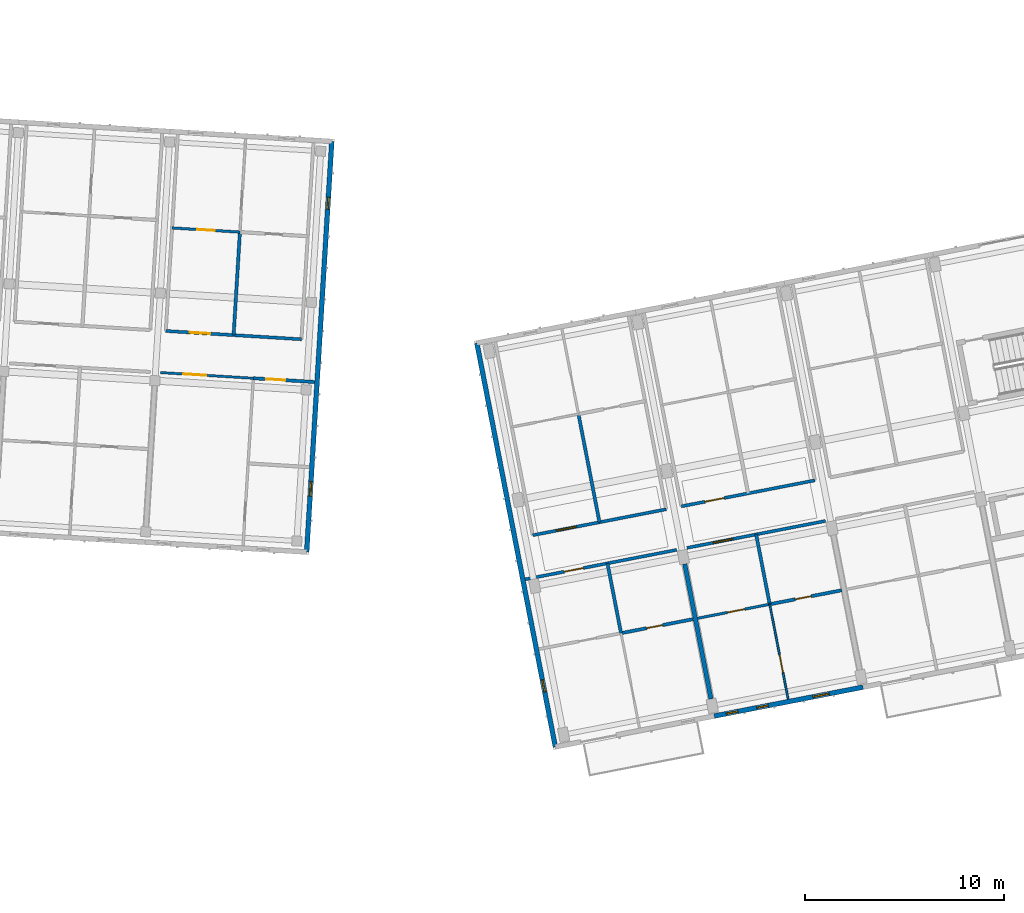
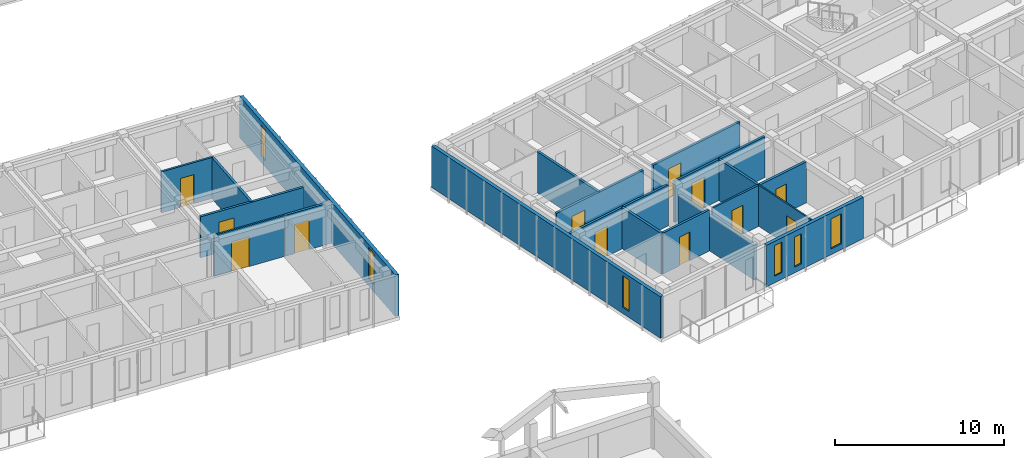
# One storey, part 77 of 127: 20 walls, 12 doors, 6 windows, 18 openings.
"""IFC4 building model written with IfcOpenShell, lengths in metres."""

from ifc_helpers import new_model, si_unit, direction, frame, frame_2d, origin, place, context, subcontext, project, spatial, rectangle, extrude, material, layer, layer_set, type_object, element, fill, save


model = new_model("IFC4")

# Units and contexts
model_context = context("Model", 3, precision=1e-05, world=origin(), true_north=direction((0.0, 1.0)))
body_context = subcontext(model_context, "Body", "Model", "MODEL_VIEW")
ifc_project = project(units=[si_unit("LENGTHUNIT", "METRE"), si_unit("AREAUNIT", "SQUARE_METRE"), si_unit("VOLUMEUNIT", "CUBIC_METRE"), si_unit("PLANEANGLEUNIT", "RADIAN"), si_unit("MASSUNIT", "GRAM", prefix="KILO")], contexts=[model_context])

# Site, building, storey
site_placement = place(None, origin())
site = spatial("IfcSite", under=ifc_project, at=site_placement, CompositionType="ELEMENT")
building_placement = place(site_placement, origin())
building = spatial("IfcBuilding", under=site, at=building_placement, Name="Kestramere Prow Commons", CompositionType="ELEMENT")
storey_placement = place(building_placement, frame((0.0, 0.0, 8.39990234375)))
storey = spatial("IfcBuildingStorey", under=building, at=storey_placement, Name="L02", CompositionType="ELEMENT", Elevation=8.39990234375)

# Wall, openings, windows
ifc_material_1 = material(Name="Fluoropolymer Standing-Seam Zinc-Aluminium Cladding", Category="aluminium")
ifc_layer_1 = layer(ifc_material_1, 0.239990234375)
ifc_layer_set_1 = layer_set([ifc_layer_1], Name="Fluoropolymer Standing-Seam Zinc-Aluminium Cladding")
wall_type_1 = type_object("IfcWallType", Name="EW-SEAM-240", PredefinedType="SOLIDWALL", material=ifc_layer_set_1)
wall_1_placement = place(storey_placement, frame((106.767578125, 63.771484375, 0.0), z_axis=(0.0, 0.0, 1.0), x_axis=(-0.061053332998, -0.99813450523, 0.0)))
wall_1 = element("IfcWall", 1, at=wall_1_placement, inside=storey, type_object=wall_type_1, Name="Block C L02 EAV Facet Wall", PredefinedType="SOLIDWALL", context=body_context, shape_type="SweptSolid", body=[
    extrude(rectangle(XDim=20.64990234375, YDim=0.239990234375, at=frame_2d((10.324951171875, 0.0))), origin(), (0.0, 0.0, 1.0), 3.0),
])
opening_1_placement = place(wall_1_placement, frame((2.81005859375, 0.0, 0.449951171875)))
opening_1 = element("IfcOpeningElement", 2, at=opening_1_placement, cuts=wall_1, Name="Opening WN-02", PredefinedType="OPENING", context=body_context, shape_type="SweptSolid", body=[
    extrude(rectangle(XDim=0.60009765625, YDim=2.219970703125, at=frame_2d((0.300048828125, 1.10986328125))), frame((0.0, 0.135009765625, 0.0), z_axis=(0.0, -1.0, 0.0), x_axis=(1.0, 0.0, 0.0)), (0.0, 0.0, 1.0), 0.27001953125),
])
opening_2_placement = place(wall_1_placement, frame((17.10009765625, 0.0, 0.52001953125)))
opening_2 = element("IfcOpeningElement", 3, at=opening_2_placement, cuts=wall_1, Name="Opening WN-09", PredefinedType="OPENING", context=body_context, shape_type="SweptSolid", body=[
    extrude(rectangle(XDim=0.739990234375, YDim=2.260009765625, at=frame_2d((0.3701171875, 1.1298828125))), frame((0.0, 0.135009765625, 0.0), z_axis=(0.0, -1.0, 0.0), x_axis=(1.0, 0.0, 0.0)), (0.0, 0.0, 1.0), 0.27001953125),
])
ifc_material_2 = material(Name="Low-E Laminated Double Glazing", Category="glass")
window_type_1 = type_object("IfcWindowType", Name="WN-NAR-600A", PartitioningType="SINGLE_PANEL", PredefinedType="WINDOW", material=ifc_material_2)
window_1_placement = place(opening_1_placement, origin())
window_1 = element("IfcWindow", 4, at=window_1_placement, inside=storey, type_object=window_type_1, Name="WN-C-L02-EAV-0", OverallHeight=2.219970703125, OverallWidth=0.60009765625, PartitioningType="SINGLE_PANEL", PredefinedType="WINDOW", context=body_context, shape_type="SweptSolid", body=[
    extrude(rectangle(XDim=0.60009765625, YDim=2.219970703125, at=frame_2d((0.300048828125, 1.10986328125))), frame((0.0, 0.030029296875, 0.0), z_axis=(0.0, -1.0, 0.0), x_axis=(1.0, 0.0, 0.0)), (0.0, 0.0, 1.0), 0.06005859375),
])
fill(opening_1, window_1)
window_type_2 = type_object("IfcWindowType", Name="WN-NAR-740A", PartitioningType="SINGLE_PANEL", PredefinedType="WINDOW", material=ifc_material_2)
window_2_placement = place(opening_2_placement, origin())
window_2 = element("IfcWindow", 5, at=window_2_placement, inside=storey, type_object=window_type_2, Name="WN-C-L02-EAV-1", OverallHeight=2.260009765625, OverallWidth=0.739990234375, PartitioningType="SINGLE_PANEL", PredefinedType="WINDOW", context=body_context, shape_type="SweptSolid", body=[
    extrude(rectangle(XDim=0.739990234375, YDim=2.260009765625, at=frame_2d((0.3701171875, 1.1298828125))), frame((0.0, 0.030029296875, 0.0), z_axis=(0.0, -1.0, 0.0), x_axis=(1.0, 0.0, 0.0)), (0.0, 0.0, 1.0), 0.06005859375),
])
fill(opening_2, window_2)

wall_2_placement = place(storey_placement, frame((133.4208984375, 36.385009765625, 0.0), z_axis=(0.0, 0.0, 1.0), x_axis=(-0.981626422232, -0.190812911449, 0.0)))
wall_2 = element("IfcWall", 6, at=wall_2_placement, inside=storey, type_object=wall_type_1, Name="Block D L02 South Standing-Seam Wall 2", PredefinedType="SOLIDWALL", context=body_context, shape_type="SweptSolid", body=[
    extrude(rectangle(XDim=7.60009765625, YDim=0.239990234375, at=frame_2d((3.800048828125, 0.0))), origin(), (0.0, 0.0, 1.0), 3.0),
])
opening_3_placement = place(wall_2_placement, frame((1.732421875, 0.0, 0.419921875)))
opening_3 = element("IfcOpeningElement", 7, at=opening_3_placement, cuts=wall_2, Name="Opening WN-13", PredefinedType="OPENING", context=body_context, shape_type="SweptSolid", body=[
    extrude(rectangle(XDim=0.820068359375, YDim=2.179931640625, at=frame_2d((0.41015625, 1.08984375))), frame((0.0, 0.135009765625, 0.0), z_axis=(0.0, -1.0, 0.0), x_axis=(1.0, 0.0, 0.0)), (0.0, 0.0, 1.0), 0.27001953125),
])
opening_4_placement = place(wall_2_placement, frame((4.847900390625, 0.0, 0.419921875)))
opening_4 = element("IfcOpeningElement", 8, at=opening_4_placement, cuts=wall_2, Name="Opening WN-01", PredefinedType="OPENING", context=body_context, shape_type="SweptSolid", body=[
    extrude(rectangle(XDim=0.580078125, YDim=2.159912109375, at=frame_2d((0.2900390625, 1.080078125))), frame((0.0, 0.135009765625, 0.0), z_axis=(0.0, -1.0, 0.0), x_axis=(1.0, 0.0, 0.0)), (0.0, 0.0, 1.0), 0.27001953125),
])
opening_5_placement = place(wall_2_placement, frame((6.389892578125, 0.0, 0.47998046875)))
opening_5 = element("IfcOpeningElement", 9, at=opening_5_placement, cuts=wall_2, Name="Opening WN-02", PredefinedType="OPENING", context=body_context, shape_type="SweptSolid", body=[
    extrude(rectangle(XDim=0.60009765625, YDim=2.219970703125, at=frame_2d((0.300048828125, 1.10986328125))), frame((0.0, 0.135009765625, 0.0), z_axis=(0.0, -1.0, 0.0), x_axis=(1.0, 0.0, 0.0)), (0.0, 0.0, 1.0), 0.27001953125),
])
window_type_3 = type_object("IfcWindowType", Name="WN-NAR-580A", PartitioningType="SINGLE_PANEL", PredefinedType="WINDOW", material=ifc_material_2)
window_3_placement = place(opening_4_placement, origin())
window_3 = element("IfcWindow", 10, at=window_3_placement, inside=storey, type_object=window_type_3, Name="WN-D-L02-S-1-10", OverallHeight=2.159912109375, OverallWidth=0.580078125, PartitioningType="SINGLE_PANEL", PredefinedType="WINDOW", context=body_context, shape_type="SweptSolid", body=[
    extrude(rectangle(XDim=0.580078125, YDim=2.159912109375, at=frame_2d((0.2900390625, 1.080078125))), frame((0.0, 0.030029296875, 0.0), z_axis=(0.0, -1.0, 0.0), x_axis=(1.0, 0.0, 0.0)), (0.0, 0.0, 1.0), 0.06005859375),
])
fill(opening_4, window_3)
window_4_placement = place(opening_5_placement, origin())
window_4 = element("IfcWindow", 11, at=window_4_placement, inside=storey, type_object=window_type_1, Name="WN-D-L02-S-1-11", OverallHeight=2.219970703125, OverallWidth=0.60009765625, PartitioningType="SINGLE_PANEL", PredefinedType="WINDOW", context=body_context, shape_type="SweptSolid", body=[
    extrude(rectangle(XDim=0.60009765625, YDim=2.219970703125, at=frame_2d((0.300048828125, 1.10986328125))), frame((0.0, 0.030029296875, 0.0), z_axis=(0.0, -1.0, 0.0), x_axis=(1.0, 0.0, 0.0)), (0.0, 0.0, 1.0), 0.06005859375),
])
fill(opening_5, window_4)
window_type_4 = type_object("IfcWindowType", Name="WN-NAR-820A", PartitioningType="DOUBLE_PANEL_VERTICAL", PredefinedType="WINDOW", material=ifc_material_2)
window_5_placement = place(opening_3_placement, origin())
window_5 = element("IfcWindow", 12, at=window_5_placement, inside=storey, type_object=window_type_4, Name="WN-D-L02-S-1-00", OverallHeight=2.179931640625, OverallWidth=0.820068359375, PartitioningType="SINGLE_PANEL", PredefinedType="WINDOW", context=body_context, shape_type="SweptSolid", body=[
    extrude(rectangle(XDim=0.820068359375, YDim=2.179931640625, at=frame_2d((0.41015625, 1.08984375))), frame((0.0, 0.030029296875, 0.0), z_axis=(0.0, -1.0, 0.0), x_axis=(1.0, 0.0, 0.0)), (0.0, 0.0, 1.0), 0.06005859375),
])
fill(opening_3, window_5)

# Wall, opening, window
wall_3_placement = place(storey_placement, frame((117.98486328125, 33.384521484375, 0.0), z_axis=(0.0, 0.0, 1.0), x_axis=(-0.190808900739, 0.981627201843, 0.0)))
wall_3 = element("IfcWall", 13, at=wall_3_placement, inside=storey, type_object=wall_type_1, Name="Block D L02 EAV Facet Wall", PredefinedType="SOLIDWALL", context=body_context, shape_type="SweptSolid", body=[
    extrude(rectangle(XDim=20.64990234375, YDim=0.239990234375, at=frame_2d((10.324951171875, 0.0))), origin(), (0.0, 0.0, 1.0), 3.0),
])
opening_6_placement = place(wall_3_placement, frame((2.81005859375, 0.0, 0.449951171875)))
opening_6 = element("IfcOpeningElement", 14, at=opening_6_placement, cuts=wall_3, Name="Opening WN-03", PredefinedType="OPENING", context=body_context, shape_type="SweptSolid", body=[
    extrude(rectangle(XDim=0.6201171875, YDim=2.280029296875, at=frame_2d((0.31005859375, 1.14013671875))), frame((0.0, 0.135009765625, 0.0), z_axis=(0.0, -1.0, 0.0), x_axis=(1.0, 0.0, 0.0)), (0.0, 0.0, 1.0), 0.27001953125),
])
window_type_5 = type_object("IfcWindowType", Name="WN-NAR-620A", PartitioningType="SINGLE_PANEL", PredefinedType="WINDOW", material=ifc_material_2)
window_6_placement = place(opening_6_placement, origin())
window_6 = element("IfcWindow", 15, at=window_6_placement, inside=storey, type_object=window_type_5, Name="WN-D-L02-EAV-0", OverallHeight=2.280029296875, OverallWidth=0.6201171875, PartitioningType="SINGLE_PANEL", PredefinedType="WINDOW", context=body_context, shape_type="SweptSolid", body=[
    extrude(rectangle(XDim=0.6201171875, YDim=2.280029296875, at=frame_2d((0.31005859375, 1.14013671875))), frame((0.0, 0.030029296875, 0.0), z_axis=(0.0, -1.0, 0.0), x_axis=(1.0, 0.0, 0.0)), (0.0, 0.0, 1.0), 0.06005859375),
])
fill(opening_6, window_6)

# Wall, opening, door
ifc_material_3 = material(Name="Fire-Rated Calcium Silicate Wall")
ifc_layer_2 = layer(ifc_material_3, 0.155029296875)
ifc_layer_set_2 = layer_set([ifc_layer_2], Name="Fire-Rated Calcium Silicate Wall")
wall_type_2 = type_object("IfcWallType", Name="W-FIRE-150", PredefinedType="PARTITIONING", material=ifc_layer_set_2)
wall_4_placement = place(storey_placement, frame((98.436279296875, 54.257568359375, 0.0), z_axis=(0.0, 0.0, 1.0), x_axis=(0.998133350094, -0.061072214879, 0.0)))
wall_4 = element("IfcWall", 16, at=wall_4_placement, inside=storey, type_object=wall_type_2, Name="Interior Partition PW-C-L02-CN-5", PredefinedType="PARTITIONING", context=body_context, shape_type="SweptSolid", body=[
    extrude(rectangle(XDim=6.81982421875, YDim=0.155029296875, at=frame_2d((3.409912109375, 0.0))), origin(), (0.0, 0.0, 1.0), 2.97021484375),
])
opening_7_placement = place(wall_4_placement, frame((1.205078125, 0.0, 0.0)))
opening_7 = element("IfcOpeningElement", 17, at=opening_7_placement, cuts=wall_4, Name="Opening ID-05", PredefinedType="OPENING", context=body_context, shape_type="SweptSolid", body=[
    extrude(rectangle(XDim=1.02001953125, YDim=2.199951171875, at=frame_2d((0.510009765625, 1.10009765625))), frame((0.0, 0.092529296875, 0.0), z_axis=(0.0, -1.0, 0.0), x_axis=(1.0, 0.0, 0.0)), (0.0, 0.0, 1.0), 0.18505859375),
])
ifc_material_4 = material(Name="Hardwood Fire-Rated Flat Entrance Door", Category="wood")
door_type_1 = type_object("IfcDoorType", Name="FD-ENT-02", OperationType="NOTDEFINED", PredefinedType="DOOR", material=ifc_material_4)
door_1_placement = place(opening_7_placement, origin())
door_1 = element("IfcDoor", 18, at=door_1_placement, inside=storey, type_object=door_type_1, Name="Interior Door DR-C-L02-ENT-N5", OperationType="SINGLE_SWING_RIGHT", OverallHeight=2.199951171875, OverallWidth=1.02001953125, PredefinedType="DOOR", context=body_context, shape_type="SweptSolid", body=[
    extrude(rectangle(XDim=1.02001953125, YDim=2.199951171875, at=frame_2d((0.510009765625, 1.10009765625))), frame((0.0, 0.02490234375, 0.0), z_axis=(0.0, -1.0, 0.0), x_axis=(1.0, 0.0, 0.0)), (0.0, 0.0, 1.0), 0.050048828125),
])
fill(opening_7, door_1)

wall_5_placement = place(storey_placement, frame((116.48193359375, 41.79736328125, 0.0), z_axis=(0.0, 0.0, 1.0), x_axis=(0.981629678105, 0.190796161028, 0.0)))
wall_5 = element("IfcWall", 19, at=wall_5_placement, inside=storey, type_object=wall_type_2, Name="Interior Partition PW-D-L02-CS-0", PredefinedType="PARTITIONING", context=body_context, shape_type="SweptSolid", body=[
    extrude(rectangle(XDim=7.735107421875, YDim=0.155029296875, at=frame_2d((3.86767578125, 0.0))), origin(), (0.0, 0.0, 1.0), 2.97021484375),
])
opening_8_placement = place(wall_5_placement, frame((1.985107421875, 0.0, 0.0)))
opening_8 = element("IfcOpeningElement", 20, at=opening_8_placement, cuts=wall_5, Name="Opening ID-04", PredefinedType="OPENING", context=body_context, shape_type="SweptSolid", body=[
    extrude(rectangle(XDim=0.97998046875, YDim=2.14990234375, at=frame_2d((0.489990234375, 1.074951171875))), frame((0.0, 0.092529296875, 0.0), z_axis=(0.0, -1.0, 0.0), x_axis=(1.0, 0.0, 0.0)), (0.0, 0.0, 1.0), 0.18505859375),
])
door_type_2 = type_object("IfcDoorType", Name="FD-ENT-01", OperationType="NOTDEFINED", PredefinedType="DOOR", material=ifc_material_4)
door_2_placement = place(opening_8_placement, origin())
door_2 = element("IfcDoor", 21, at=door_2_placement, inside=storey, type_object=door_type_2, Name="Interior Door DR-D-L02-ENT-S0", OperationType="SINGLE_SWING_LEFT", OverallHeight=2.14990234375, OverallWidth=0.97998046875, PredefinedType="DOOR", context=body_context, shape_type="SweptSolid", body=[
    extrude(rectangle(XDim=0.97998046875, YDim=2.14990234375, at=frame_2d((0.489990234375, 1.074951171875))), frame((0.0, 0.02490234375, 0.0), z_axis=(0.0, -1.0, 0.0), x_axis=(1.0, 0.0, 0.0)), (0.0, 0.0, 1.0), 0.050048828125),
])
fill(opening_8, door_2)

wall_6_placement = place(storey_placement, frame((124.585205078125, 43.372314453125, 0.0), z_axis=(0.0, 0.0, 1.0), x_axis=(0.9816234647, 0.190828125677, 0.0)))
wall_6 = element("IfcWall", 22, at=wall_6_placement, inside=storey, type_object=wall_type_2, Name="Interior Partition PW-D-L02-CS-1", PredefinedType="PARTITIONING", context=body_context, shape_type="SweptSolid", body=[
    extrude(rectangle(XDim=7.080078125, YDim=0.155029296875, at=frame_2d((3.5400390625, 0.0))), origin(), (0.0, 0.0, 1.0), 2.97021484375),
])
opening_9_placement = place(wall_6_placement, frame((1.330078125, 0.0, 0.0)))
opening_9 = element("IfcOpeningElement", 23, at=opening_9_placement, cuts=wall_6, Name="Opening ID-05", PredefinedType="OPENING", context=body_context, shape_type="SweptSolid", body=[
    extrude(rectangle(XDim=1.02001953125, YDim=2.199951171875, at=frame_2d((0.510009765625, 1.10009765625))), frame((0.0, 0.092529296875, 0.0), z_axis=(0.0, -1.0, 0.0), x_axis=(1.0, 0.0, 0.0)), (0.0, 0.0, 1.0), 0.18505859375),
])
door_3_placement = place(opening_9_placement, origin())
door_3 = element("IfcDoor", 24, at=door_3_placement, inside=storey, type_object=door_type_1, Name="Interior Door DR-D-L02-ENT-S1", OperationType="SINGLE_SWING_RIGHT", OverallHeight=2.199951171875, OverallWidth=1.02001953125, PredefinedType="DOOR", context=body_context, shape_type="SweptSolid", body=[
    extrude(rectangle(XDim=1.02001953125, YDim=2.199951171875, at=frame_2d((0.510009765625, 1.10009765625))), frame((0.0, 0.02490234375, 0.0), z_axis=(0.0, -1.0, 0.0), x_axis=(1.0, 0.0, 0.0)), (0.0, 0.0, 1.0), 0.050048828125),
])
fill(opening_9, door_3)

wall_7_placement = place(storey_placement, frame((116.851806640625, 44.008544921875, 0.0), z_axis=(0.0, 0.0, 1.0), x_axis=(0.981629173664, 0.190798756314, 0.0)))
wall_7 = element("IfcWall", 25, at=wall_7_placement, inside=storey, type_object=wall_type_2, Name="Interior Partition PW-D-L02-CN-0", PredefinedType="PARTITIONING", context=body_context, shape_type="SweptSolid", body=[
    extrude(rectangle(XDim=6.820068359375, YDim=0.155029296875, at=frame_2d((3.41015625, 0.0))), origin(), (0.0, 0.0, 1.0), 2.97021484375),
])
opening_10_placement = place(wall_7_placement, frame((1.205078125, 0.0, 0.0)))
opening_10 = element("IfcOpeningElement", 26, at=opening_10_placement, cuts=wall_7, Name="Opening ID-05", PredefinedType="OPENING", context=body_context, shape_type="SweptSolid", body=[
    extrude(rectangle(XDim=1.02001953125, YDim=2.199951171875, at=frame_2d((0.510009765625, 1.10009765625))), frame((0.0, 0.092529296875, 0.0), z_axis=(0.0, -1.0, 0.0), x_axis=(1.0, 0.0, 0.0)), (0.0, 0.0, 1.0), 0.18505859375),
])
door_4_placement = place(opening_10_placement, origin())
door_4 = element("IfcDoor", 27, at=door_4_placement, inside=storey, type_object=door_type_1, Name="Interior Door DR-D-L02-ENT-N0", OperationType="SINGLE_SWING_RIGHT", OverallHeight=2.199951171875, OverallWidth=1.02001953125, PredefinedType="DOOR", context=body_context, shape_type="SweptSolid", body=[
    extrude(rectangle(XDim=1.02001953125, YDim=2.199951171875, at=frame_2d((0.510009765625, 1.10009765625))), frame((0.0, 0.02490234375, 0.0), z_axis=(0.0, -1.0, 0.0), x_axis=(1.0, 0.0, 0.0)), (0.0, 0.0, 1.0), 0.050048828125),
])
fill(opening_10, door_4)

wall_8_placement = place(storey_placement, frame((124.312255859375, 45.458740234375, 0.0), z_axis=(0.0, 0.0, 1.0), x_axis=(0.981627870431, 0.190805461121, 0.0)))
wall_8 = element("IfcWall", 28, at=wall_8_placement, inside=storey, type_object=wall_type_2, Name="Interior Partition PW-D-L02-CN-1", PredefinedType="PARTITIONING", context=body_context, shape_type="SweptSolid", body=[
    extrude(rectangle(XDim=6.81982421875, YDim=0.155029296875, at=frame_2d((3.409912109375, 0.0))), origin(), (0.0, 0.0, 1.0), 2.97021484375),
])
opening_11_placement = place(wall_8_placement, frame((1.205078125, 0.0, 0.0)))
opening_11 = element("IfcOpeningElement", 29, at=opening_11_placement, cuts=wall_8, Name="Opening ID-04", PredefinedType="OPENING", context=body_context, shape_type="SweptSolid", body=[
    extrude(rectangle(XDim=0.97998046875, YDim=2.14990234375, at=frame_2d((0.489990234375, 1.074951171875))), frame((0.0, 0.092529296875, 0.0), z_axis=(0.0, -1.0, 0.0), x_axis=(1.0, 0.0, 0.0)), (0.0, 0.0, 1.0), 0.18505859375),
])
door_5_placement = place(opening_11_placement, origin())
door_5 = element("IfcDoor", 30, at=door_5_placement, inside=storey, type_object=door_type_2, Name="Interior Door DR-D-L02-ENT-N1", OperationType="SINGLE_SWING_LEFT", OverallHeight=2.14990234375, OverallWidth=0.97998046875, PredefinedType="DOOR", context=body_context, shape_type="SweptSolid", body=[
    extrude(rectangle(XDim=0.97998046875, YDim=2.14990234375, at=frame_2d((0.489990234375, 1.074951171875))), frame((0.0, 0.02490234375, 0.0), z_axis=(0.0, -1.0, 0.0), x_axis=(1.0, 0.0, 0.0)), (0.0, 0.0, 1.0), 0.050048828125),
])
fill(opening_11, door_5)

ifc_material_5 = material(Name="Lightweight Blockwork and Plaster", Category="masonry")
ifc_layer_3 = layer(ifc_material_5, 0.1201171875)
ifc_layer_set_3 = layer_set([ifc_layer_3], Name="Lightweight Blockwork and Plaster")
wall_type_3 = type_object("IfcWallType", Name="W-PART-120", PredefinedType="PARTITIONING", material=ifc_layer_set_3)
wall_9_placement = place(storey_placement, frame((98.17822265625, 52.16943359375, 0.0), z_axis=(0.0, 0.0, 1.0), x_axis=(0.998132468034, -0.061086629106, 0.0)))
wall_9 = element("IfcWall", 31, at=wall_9_placement, inside=storey, type_object=wall_type_3, Name="Interior Partition PW-C-L02-CS-5A", PredefinedType="PARTITIONING", context=body_context, shape_type="SweptSolid", body=[
    extrude(rectangle(XDim=4.66015625, YDim=0.1201171875, at=frame_2d((2.330078125, 0.0))), origin(), (0.0, 0.0, 1.0), 2.97021484375),
])
opening_12_placement = place(wall_9_placement, frame((1.14990234375, 0.0, 0.0)))
opening_12 = element("IfcOpeningElement", 32, at=opening_12_placement, cuts=wall_9, Name="Opening ID-09", PredefinedType="OPENING", context=body_context, shape_type="SweptSolid", body=[
    extrude(rectangle(XDim=1.14990234375, YDim=2.14990234375, at=frame_2d((0.574951171875, 1.074951171875))), frame((0.0, 0.074951171875, 0.0), z_axis=(0.0, -1.0, 0.0), x_axis=(1.0, 0.0, 0.0)), (0.0, 0.0, 1.0), 0.150146484375),
])
ifc_material_6 = material(Name="Engineered Timber Acoustic Door", Category="wood")
door_type_3 = type_object("IfcDoorType", Name="D-RM-02", OperationType="NOTDEFINED", PredefinedType="DOOR", material=ifc_material_6)
door_6_placement = place(opening_12_placement, origin())
door_6 = element("IfcDoor", 33, at=door_6_placement, inside=storey, type_object=door_type_3, Name="Interior Door DR-C-L02-SKY-5", OperationType="SINGLE_SWING_LEFT", OverallHeight=2.14990234375, OverallWidth=1.14990234375, PredefinedType="DOOR", context=body_context, shape_type="SweptSolid", body=[
    extrude(rectangle(XDim=1.14990234375, YDim=2.14990234375, at=frame_2d((0.574951171875, 1.074951171875))), frame((0.0, 0.02490234375, 0.0), z_axis=(0.0, -1.0, 0.0), x_axis=(1.0, 0.0, 0.0)), (0.0, 0.0, 1.0), 0.050048828125),
])
fill(opening_12, door_6)

ifc_layer_4 = layer(ifc_material_5, 0.1298828125)
ifc_layer_set_4 = layer_set([ifc_layer_4], Name="Lightweight Blockwork and Plaster")
wall_type_4 = type_object("IfcWallType", Name="W-PART-130", PredefinedType="PARTITIONING", material=ifc_layer_set_4)
wall_10_placement = place(storey_placement, frame((98.75244140625, 59.427734375, 0.0), z_axis=(0.0, 0.0, 1.0), x_axis=(0.998137711988, -0.061000884486, 0.0)))
wall_10 = element("IfcWall", 34, at=wall_10_placement, inside=storey, type_object=wall_type_4, Name="Interior Partition PW-C-L02-MIDN1-5", PredefinedType="PARTITIONING", context=body_context, shape_type="SweptSolid", body=[
    extrude(rectangle(XDim=3.409912109375, YDim=0.1298828125, at=frame_2d((1.705078125, 0.0))), origin(), (0.0, 0.0, 1.0), 2.97021484375),
])
opening_13_placement = place(wall_10_placement, frame((1.2548828125, 0.0, 0.0)))
opening_13 = element("IfcOpeningElement", 35, at=opening_13_placement, cuts=wall_10, Name="Opening ID-10", PredefinedType="OPENING", context=body_context, shape_type="SweptSolid", body=[
    extrude(rectangle(XDim=0.8798828125, YDim=2.10009765625, at=frame_2d((0.43994140625, 1.050048828125))), frame((0.0, 0.079833984375, 0.0), z_axis=(0.0, -1.0, 0.0), x_axis=(1.0, 0.0, 0.0)), (0.0, 0.0, 1.0), 0.159912109375),
])
ifc_material_7 = material(Name="Engineered Timber Bedroom Door", Category="wood")
door_type_4 = type_object("IfcDoorType", Name="D-RM-03", OperationType="NOTDEFINED", PredefinedType="DOOR", material=ifc_material_7)
door_7_placement = place(opening_13_placement, origin())
door_7 = element("IfcDoor", 36, at=door_7_placement, inside=storey, type_object=door_type_4, Name="Interior Door DR-C-L02-KL-N5", OperationType="SINGLE_SWING_LEFT", OverallHeight=2.10009765625, OverallWidth=0.8798828125, PredefinedType="DOOR", context=body_context, shape_type="SweptSolid", body=[
    extrude(rectangle(XDim=0.8798828125, YDim=2.10009765625, at=frame_2d((0.43994140625, 1.050048828125))), frame((0.0, 0.02490234375, 0.0), z_axis=(0.0, -1.0, 0.0), x_axis=(1.0, 0.0, 0.0)), (0.0, 0.0, 1.0), 0.050048828125),
])
fill(opening_13, door_7)

wall_11_placement = place(storey_placement, frame((125.124267578125, 39.84033203125, 0.0), z_axis=(0.0, 0.0, 1.0), x_axis=(0.981626422232, 0.190812911449, 0.0)))
wall_11 = element("IfcWall", 37, at=wall_11_placement, inside=storey, type_object=wall_type_4, Name="Interior Partition PW-D-L02-MIDS1-1", PredefinedType="PARTITIONING", context=body_context, shape_type="SweptSolid", body=[
    extrude(rectangle(XDim=3.684814453125, YDim=0.1298828125, at=frame_2d((1.84228515625, 0.0))), origin(), (0.0, 0.0, 1.0), 2.97021484375),
])
opening_14_placement = place(wall_11_placement, frame((1.52490234375, 0.0, 0.0)))
opening_14 = element("IfcOpeningElement", 38, at=opening_14_placement, cuts=wall_11, Name="Opening ID-10", PredefinedType="OPENING", context=body_context, shape_type="SweptSolid", body=[
    extrude(rectangle(XDim=0.8798828125, YDim=2.10009765625, at=frame_2d((0.43994140625, 1.050048828125))), frame((0.0, 0.079833984375, 0.0), z_axis=(0.0, -1.0, 0.0), x_axis=(1.0, 0.0, 0.0)), (0.0, 0.0, 1.0), 0.159912109375),
])
door_8_placement = place(opening_14_placement, origin())
door_8 = element("IfcDoor", 39, at=door_8_placement, inside=storey, type_object=door_type_4, Name="Interior Door DR-D-L02-KL-S1", OperationType="SINGLE_SWING_RIGHT", OverallHeight=2.10009765625, OverallWidth=0.8798828125, PredefinedType="DOOR", context=body_context, shape_type="SweptSolid", body=[
    extrude(rectangle(XDim=0.8798828125, YDim=2.10009765625, at=frame_2d((0.43994140625, 1.050048828125))), frame((0.0, 0.02490234375, 0.0), z_axis=(0.0, -1.0, 0.0), x_axis=(1.0, 0.0, 0.0)), (0.0, 0.0, 1.0), 0.050048828125),
])
fill(opening_14, door_8)

ifc_material_8 = material(Name="Gypsum Acoustic Drywall")
ifc_layer_5 = layer(ifc_material_8, 0.094970703125)
ifc_layer_set_5 = layer_set([ifc_layer_5], Name="Gypsum Acoustic Drywall")
wall_type_5 = type_object("IfcWallType", Name="W-PART-95", PredefinedType="PARTITIONING", material=ifc_layer_set_5)
wall_12_placement = place(storey_placement, frame((129.6650390625, 35.79248046875, 0.0), z_axis=(0.0, 0.0, 1.0), x_axis=(-0.190826454074, 0.98162378966, 0.0)))
wall_12 = element("IfcWall", 40, at=wall_12_placement, inside=storey, type_object=wall_type_5, Name="Interior Partition PW-D-L02-LB-S1", PredefinedType="PARTITIONING", context=body_context, shape_type="SweptSolid", body=[
    extrude(rectangle(XDim=4.83984375, YDim=0.094970703125, at=frame_2d((2.419921875, 0.0))), origin(), (0.0, 0.0, 1.0), 2.97021484375),
])
opening_15_placement = place(wall_12_placement, frame((1.35009765625, 0.0, 0.0)))
opening_15 = element("IfcOpeningElement", 41, at=opening_15_placement, cuts=wall_12, Name="Opening ID-08", PredefinedType="OPENING", context=body_context, shape_type="SweptSolid", body=[
    extrude(rectangle(XDim=0.89990234375, YDim=2.10009765625, at=frame_2d((0.449951171875, 1.050048828125))), frame((0.0, 0.0625, 0.0), z_axis=(0.0, -1.0, 0.0), x_axis=(1.0, 0.0, 0.0)), (0.0, 0.0, 1.0), 0.125),
])
ifc_material_9 = material(Name="Engineered Timber Flush Door", Category="wood")
door_type_5 = type_object("IfcDoorType", Name="D-RM-01", OperationType="NOTDEFINED", PredefinedType="DOOR", material=ifc_material_9)
door_9_placement = place(opening_15_placement, origin())
door_9 = element("IfcDoor", 42, at=door_9_placement, inside=storey, type_object=door_type_5, Name="Interior Door DR-D-L02-BED-S1", OperationType="SINGLE_SWING_RIGHT", OverallHeight=2.10009765625, OverallWidth=0.89990234375, PredefinedType="DOOR", context=body_context, shape_type="SweptSolid", body=[
    extrude(rectangle(XDim=0.89990234375, YDim=2.10009765625, at=frame_2d((0.449951171875, 1.050048828125))), frame((0.0, 0.02490234375, 0.0), z_axis=(0.0, -1.0, 0.0), x_axis=(1.0, 0.0, 0.0)), (0.0, 0.0, 1.0), 0.050048828125),
])
fill(opening_15, door_9)

ifc_material_10 = material(Name="Waterproof Sanitary Masonry Wall", Category="masonry")
ifc_layer_6 = layer(ifc_material_10, 0.1650390625)
ifc_layer_set_6 = layer_set([ifc_layer_6], Name="Waterproof Sanitary Masonry Wall")
wall_type_6 = type_object("IfcWallType", Name="W-PLUMB-150", PredefinedType="PLUMBINGWALL", material=ifc_layer_set_6)
wall_13_placement = place(storey_placement, frame((102.82958984375, 51.884765625, 0.0), z_axis=(0.0, 0.0, 1.0), x_axis=(0.998134491017, -0.061053565351, 0.0)))
wall_13 = element("IfcWall", 43, at=wall_13_placement, inside=storey, type_object=wall_type_6, Name="Interior Partition PW-C-L02-CS-5B", PredefinedType="PLUMBINGWALL", context=body_context, shape_type="SweptSolid", body=[
    extrude(rectangle(XDim=3.074951171875, YDim=0.1650390625, at=frame_2d((1.53759765625, 0.0))), origin(), (0.0, 0.0, 1.0), 2.97021484375),
])
opening_16_placement = place(wall_13_placement, frame((0.64990234375, 0.0, 0.0)))
opening_16 = element("IfcOpeningElement", 44, at=opening_16_placement, cuts=wall_13, Name="Opening ID-13", PredefinedType="OPENING", context=body_context, shape_type="SweptSolid", body=[
    extrude(rectangle(XDim=0.9599609375, YDim=2.1201171875, at=frame_2d((0.47998046875, 1.06005859375))), frame((0.0, 0.097412109375, 0.0), z_axis=(0.0, -1.0, 0.0), x_axis=(1.0, 0.0, 0.0)), (0.0, 0.0, 1.0), 0.195068359375),
])
ifc_material_11 = material(Name="Accessible Wide-Leaf Timber Door", Category="wood")
door_type_6 = type_object("IfcDoorType", Name="D-ACC-01", OperationType="NOTDEFINED", PredefinedType="DOOR", material=ifc_material_11)
door_10_placement = place(opening_16_placement, origin())
door_10 = element("IfcDoor", 45, at=door_10_placement, inside=storey, type_object=door_type_6, Name="Interior Door DR-C-L02-SKWC-5", OperationType="SINGLE_SWING_RIGHT", OverallHeight=2.1201171875, OverallWidth=0.9599609375, PredefinedType="DOOR", context=body_context, shape_type="SweptSolid", body=[
    extrude(rectangle(XDim=0.9599609375, YDim=2.1201171875, at=frame_2d((0.47998046875, 1.06005859375))), frame((0.0, 0.02490234375, 0.0), z_axis=(0.0, -1.0, 0.0), x_axis=(1.0, 0.0, 0.0)), (0.0, 0.0, 1.0), 0.050048828125),
])
fill(opening_16, door_10)

# Wall
wall_14_placement = place(storey_placement, frame((101.83984375, 54.04931640625, 0.0), z_axis=(0.0, 0.0, 1.0), x_axis=(0.06103436051, 0.998135665547, 0.0)))
element("IfcWall", 46, at=wall_14_placement, inside=storey, type_object=wall_type_6, Name="Interior Partition PW-C-L02-KB-N5", PredefinedType="PLUMBINGWALL", context=body_context, shape_type="SweptSolid", body=[
    extrude(rectangle(XDim=5.18017578125, YDim=0.1650390625, at=frame_2d((2.590087890625, 0.0))), origin(), (0.0, 0.0, 1.0), 2.97021484375),
])

# Wall, opening, door
wall_15_placement = place(storey_placement, frame((121.281005859375, 39.09326171875, 0.0), z_axis=(0.0, 0.0, 1.0), x_axis=(0.981628834294, 0.190800502313, 0.0)))
wall_15 = element("IfcWall", 47, at=wall_15_placement, inside=storey, type_object=wall_type_6, Name="Interior Partition PW-D-L02-MIDS2-0", PredefinedType="PLUMBINGWALL", context=body_context, shape_type="SweptSolid", body=[
    extrude(rectangle(XDim=3.68505859375, YDim=0.1650390625, at=frame_2d((1.842529296875, 0.0))), origin(), (0.0, 0.0, 1.0), 2.97021484375),
])
opening_17_placement = place(wall_15_placement, frame((1.300048828125, 0.0, 0.0)))
opening_17 = element("IfcOpeningElement", 48, at=opening_17_placement, cuts=wall_15, Name="Opening ID-11", PredefinedType="OPENING", context=body_context, shape_type="SweptSolid", body=[
    extrude(rectangle(XDim=0.820068359375, YDim=2.080078125, at=frame_2d((0.41015625, 1.0400390625))), frame((0.0, 0.097412109375, 0.0), z_axis=(0.0, -1.0, 0.0), x_axis=(1.0, 0.0, 0.0)), (0.0, 0.0, 1.0), 0.195068359375),
])
ifc_material_12 = material(Name="Moisture-Resistant Timber Bathroom Door", Category="wood")
door_type_7 = type_object("IfcDoorType", Name="D-BT-01", OperationType="NOTDEFINED", PredefinedType="DOOR", material=ifc_material_12)
door_11_placement = place(opening_17_placement, origin())
door_11 = element("IfcDoor", 49, at=door_11_placement, inside=storey, type_object=door_type_7, Name="Interior Door DR-D-L02-BTH-S0", OperationType="SINGLE_SWING_LEFT", OverallHeight=2.080078125, OverallWidth=0.820068359375, PredefinedType="DOOR", context=body_context, shape_type="SweptSolid", body=[
    extrude(rectangle(XDim=0.820068359375, YDim=2.080078125, at=frame_2d((0.41015625, 1.0400390625))), frame((0.0, 0.02490234375, 0.0), z_axis=(0.0, -1.0, 0.0), x_axis=(1.0, 0.0, 0.0)), (0.0, 0.0, 1.0), 0.050048828125),
])
fill(opening_17, door_11)

# Wall
wall_16_placement = place(storey_placement, frame((121.281005859375, 39.09326171875, 0.0), z_axis=(0.0, 0.0, 1.0), x_axis=(-0.190800102044, 0.981628912095, 0.0)))
element("IfcWall", 50, at=wall_16_placement, inside=storey, type_object=wall_type_6, Name="Interior Partition PW-D-L02-KB-S0", PredefinedType="PLUMBINGWALL", context=body_context, shape_type="SweptSolid", body=[
    extrude(rectangle(XDim=3.570068359375, YDim=0.1650390625, at=frame_2d((1.78515625, 0.0))), origin(), (0.0, 0.0, 1.0), 2.97021484375),
])

# Wall, opening, door
wall_17_placement = place(storey_placement, frame((128.741455078125, 40.54345703125, 0.0), z_axis=(0.0, 0.0, 1.0), x_axis=(0.981626422232, 0.190812911449, 0.0)))
wall_17 = element("IfcWall", 51, at=wall_17_placement, inside=storey, type_object=wall_type_6, Name="Interior Partition PW-D-L02-MIDS2-1", PredefinedType="PLUMBINGWALL", context=body_context, shape_type="SweptSolid", body=[
    extrude(rectangle(XDim=3.684814453125, YDim=0.1650390625, at=frame_2d((1.84228515625, 0.0))), origin(), (0.0, 0.0, 1.0), 2.97021484375),
])
opening_18_placement = place(wall_17_placement, frame((1.300048828125, 0.0, 0.0)))
opening_18 = element("IfcOpeningElement", 52, at=opening_18_placement, cuts=wall_17, Name="Opening ID-11", PredefinedType="OPENING", context=body_context, shape_type="SweptSolid", body=[
    extrude(rectangle(XDim=0.820068359375, YDim=2.080078125, at=frame_2d((0.41015625, 1.0400390625))), frame((0.0, 0.097412109375, 0.0), z_axis=(0.0, -1.0, 0.0), x_axis=(1.0, 0.0, 0.0)), (0.0, 0.0, 1.0), 0.195068359375),
])
door_12_placement = place(opening_18_placement, origin())
door_12 = element("IfcDoor", 53, at=door_12_placement, inside=storey, type_object=door_type_7, Name="Interior Door DR-D-L02-BTH-S1", OperationType="SINGLE_SWING_LEFT", OverallHeight=2.080078125, OverallWidth=0.820068359375, PredefinedType="DOOR", context=body_context, shape_type="SweptSolid", body=[
    extrude(rectangle(XDim=0.820068359375, YDim=2.080078125, at=frame_2d((0.41015625, 1.0400390625))), frame((0.0, 0.02490234375, 0.0), z_axis=(0.0, -1.0, 0.0), x_axis=(1.0, 0.0, 0.0)), (0.0, 0.0, 1.0), 0.050048828125),
])
fill(opening_18, door_12)

# Walls
wall_18_placement = place(storey_placement, frame((128.741455078125, 40.54345703125, 0.0), z_axis=(0.0, 0.0, 1.0), x_axis=(-0.190800102044, 0.981628912095, 0.0)))
element("IfcWall", 54, at=wall_18_placement, inside=storey, type_object=wall_type_6, Name="Interior Partition PW-D-L02-KB-S1", PredefinedType="PLUMBINGWALL", context=body_context, shape_type="SweptSolid", body=[
    extrude(rectangle(XDim=3.570068359375, YDim=0.1650390625, at=frame_2d((1.78515625, 0.0))), origin(), (0.0, 0.0, 1.0), 2.97021484375),
])
wall_19_placement = place(storey_placement, frame((120.19921875, 44.6591796875, 0.0), z_axis=(0.0, 0.0, 1.0), x_axis=(-0.190807031124, 0.981627565258, 0.0)))
element("IfcWall", 55, at=wall_19_placement, inside=storey, type_object=wall_type_6, Name="Interior Partition PW-D-L02-KB-N0", PredefinedType="PLUMBINGWALL", context=body_context, shape_type="SweptSolid", body=[
    extrude(rectangle(XDim=5.530029296875, YDim=0.1650390625, at=frame_2d((2.76513671875, 0.0))), origin(), (0.0, 0.0, 1.0), 2.97021484375),
])
ifc_material_13 = material(Name="Precast concrete C40/50", Category="concrete")
ifc_layer_7 = layer(ifc_material_13, 0.219970703125)
ifc_layer_set_7 = layer_set([ifc_layer_7], Name="Precast concrete C40/50")
wall_type_7 = type_object("IfcWallType", Name="W-XWALL-220", PredefinedType="SHEAR", material=ifc_layer_set_7)
wall_20_placement = place(storey_placement, frame((125.793701171875, 35.793701171875, 0.0), z_axis=(0.0, 0.0, 1.0), x_axis=(-0.190819465253, 0.981625148252, 0.0)))
element("IfcWall", 56, at=wall_20_placement, inside=storey, type_object=wall_type_7, Name="Block D L02 Precast Cross-Wall 1", PredefinedType="SHEAR", context=body_context, shape_type="SweptSolid", body=[
    extrude(rectangle(XDim=6.89990234375, YDim=0.219970703125, at=frame_2d((3.449951171875, 0.0))), origin(), (0.0, 0.0, 1.0), 2.5),
])

save(model, "model.ifc")
